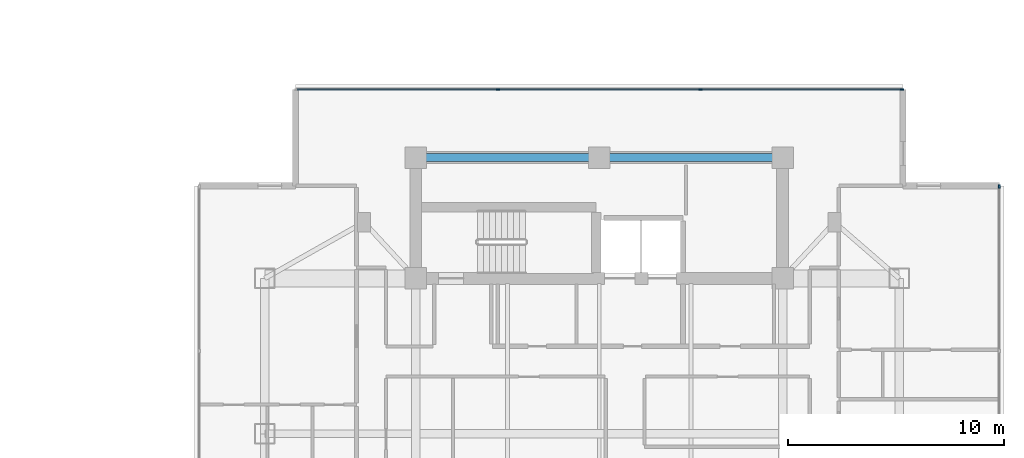
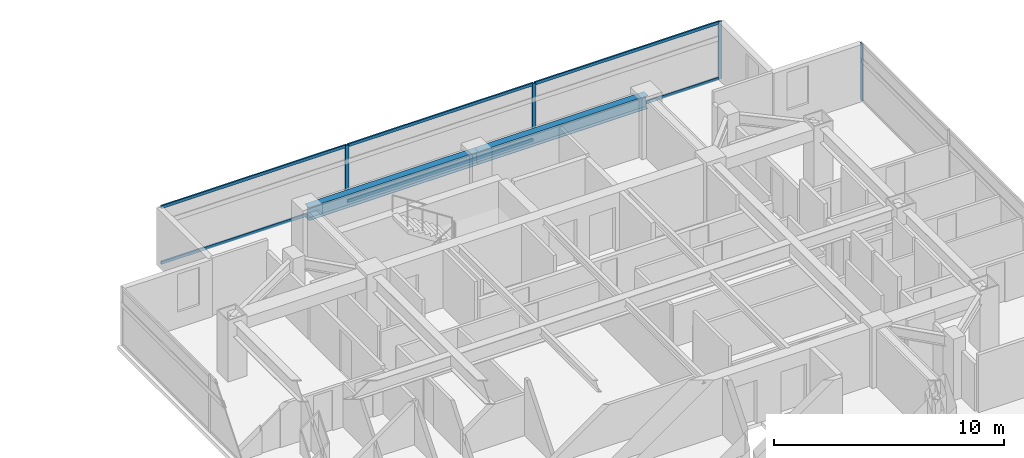
# One storey, part 10 of 25: 10 members, 2 beams, 2 elements without a shape of their own.
"""IFC4 building model written with IfcOpenShell, lengths in metres."""

from ifc_helpers import new_model, si_unit, direction, frame, origin, origin_2d, place, context, subcontext, project, spatial, rectangle, i_section, extrude, material, material_profile, profile_set, type_object, element, aggregate, save


model = new_model("IFC4")

# Units and contexts
model_context = context("Model", 3, precision=1e-05, world=origin(), true_north=direction((0.0, 1.0)))
body_context = subcontext(model_context, "Body", "Model", "MODEL_VIEW")
ifc_project = project(units=[si_unit("LENGTHUNIT", "METRE"), si_unit("AREAUNIT", "SQUARE_METRE"), si_unit("VOLUMEUNIT", "CUBIC_METRE"), si_unit("PLANEANGLEUNIT", "RADIAN"), si_unit("MASSUNIT", "GRAM", prefix="KILO")], contexts=[model_context])

# Site, building, storey
site_placement = place(None, origin())
site = spatial("IfcSite", under=ifc_project, at=site_placement, CompositionType="ELEMENT")
building_placement = place(site_placement, origin())
building = spatial("IfcBuilding", under=site, at=building_placement, Name="Mirazonda Arch Towers", CompositionType="ELEMENT")
storey_placement = place(building_placement, frame((0.0, 0.0, 180.39990234375)))
storey = spatial("IfcBuildingStorey", under=building, at=storey_placement, Name="L51", CompositionType="ELEMENT", Elevation=180.39990234375)

# Beams
ifc_material_1 = material(Name="Steel ASTM A992 Grade 50", Category="steel")
ifc_material_profile_1 = material_profile(ifc_material_1, i_section(OverallWidth=0.35498046875, OverallDepth=0.696044921875, WebThickness=0.015380859375, FlangeThickness=0.02490234375, at=origin_2d()), Name="W27X146")
ifc_profile_set_1 = profile_set([ifc_material_profile_1], Name="Steel ASTM A992 Grade 50")
beam_type = type_object("IfcBeamType", Name="BM-INT-W27X146", PredefinedType="BEAM", material=ifc_profile_set_1)
for number, where, z_axis, x_axis, name in (
    (1, (68.0, 40.800048828125, 2.7021484375), (1.0, 0.0, 0.0), (0.0, 1.0, 0.0), "L51 Floor Beam BM-T2-L51-CN1"),
    (2, (76.5, 40.800048828125, 2.7021484375), (1.0, 0.0, 0.0), (0.0, 1.0, 0.0), "L51 Floor Beam BM-T2-L51-CN2"),
):
    element("IfcBeam", number, at=place(storey_placement, frame(where, z_axis=z_axis, x_axis=x_axis)), inside=storey, type_object=beam_type, Name=name, PredefinedType="BEAM", context=body_context, shape_type="SweptSolid", body=[
        extrude(i_section(OverallWidth=0.35498046875, OverallDepth=0.696044921875, WebThickness=0.015380859375, FlangeThickness=0.02490234375, at=origin_2d()), origin(), (0.0, 0.0, 1.0), 8.5),
    ])

# Curtain wall, member
ifc_material_2 = material(Name="Anodised Aluminium and Low-E Glass", Category="aluminium")
curtain_wall_type = type_object("IfcCurtainWallType", Name="CW-RES-UNIT", PredefinedType="NOTDEFINED", material=ifc_material_2)
curtain_wall_1_placement = place(storey_placement, origin())
curtain_wall_1 = element("IfcCurtainWall", 3, at=curtain_wall_1_placement, inside=storey, type_object=curtain_wall_type, Name="L51 T2 E Facade CW-L51-T2-E", PredefinedType="NOTDEFINED")
ifc_material_3 = material(Name="Anodised Aluminium Alloy", Category="aluminium")
ifc_material_profile_2 = material_profile(ifc_material_3, rectangle(XDim=0.074951171875, YDim=0.175048828125, at=origin_2d()), Name="ALU-MULL-75x175")
ifc_profile_set_2 = profile_set([ifc_material_profile_2], Name="Anodised Aluminium Alloy")
member_type_1 = type_object("IfcMemberType", Name="MULL-CW-RES-UNIT", PredefinedType="MULLION", material=ifc_profile_set_2)
member_1_placement = place(storey_placement, frame((95.03662109375, 39.455078125, 0.0), z_axis=(0.0, 0.0, 1.0), x_axis=(-1.0, 0.0, 0.0)))
member_1 = element("IfcMember", 4, at=member_1_placement, type_object=member_type_1, Name="CW-104 mullion 4", PredefinedType="MULLION", context=body_context, shape_type="SweptSolid", body=[
    extrude(rectangle(XDim=0.074951171875, YDim=0.175048828125, at=origin_2d()), origin(), (0.0, 0.0, 1.0), 3.030029296875),
])
aggregate(curtain_wall_1, [member_1])

# Curtain wall, members
curtain_wall_2_placement = place(storey_placement, origin())
curtain_wall_2 = element("IfcCurtainWall", 5, at=curtain_wall_2_placement, inside=storey, type_object=curtain_wall_type, Name="L51 T2 N Facade CW-L51-T2-N", PredefinedType="NOTDEFINED")
member_2_placement = place(storey_placement, frame((71.8095703125, 43.9580078125, 0.0), z_axis=(0.0, 0.0, 1.0), x_axis=(0.0, 1.0, 0.0)))
member_2 = element("IfcMember", 6, at=member_2_placement, type_object=member_type_1, Name="CW-104 mullion 2", PredefinedType="MULLION", context=body_context, shape_type="SweptSolid", body=[
    extrude(rectangle(XDim=0.074951171875, YDim=0.175048828125, at=origin_2d()), origin(), (0.0, 0.0, 1.0), 3.030029296875),
])
member_3_placement = place(storey_placement, frame((81.1904296875, 43.9580078125, 0.0), z_axis=(0.0, 0.0, 1.0), x_axis=(0.0, 1.0, 0.0)))
member_3 = element("IfcMember", 7, at=member_3_placement, type_object=member_type_1, Name="CW-104 mullion 3", PredefinedType="MULLION", context=body_context, shape_type="SweptSolid", body=[
    extrude(rectangle(XDim=0.074951171875, YDim=0.175048828125, at=origin_2d()), origin(), (0.0, 0.0, 1.0), 3.030029296875),
])
member_4_placement = place(storey_placement, frame((90.53369140625, 43.9580078125, 0.0), z_axis=(0.0, 0.0, 1.0), x_axis=(0.0, 1.0, 0.0)))
member_4 = element("IfcMember", 8, at=member_4_placement, type_object=member_type_1, Name="CW-104 mullion 4", PredefinedType="MULLION", context=body_context, shape_type="SweptSolid", body=[
    extrude(rectangle(XDim=0.074951171875, YDim=0.175048828125, at=origin_2d()), origin(), (0.0, 0.0, 1.0), 3.030029296875),
])
ifc_material_profile_3 = material_profile(ifc_material_3, rectangle(XDim=0.074951171875, YDim=0.155029296875, at=origin_2d()), Name="ALU-TRAN-75x155")
ifc_profile_set_3 = profile_set([ifc_material_profile_3], Name="Anodised Aluminium Alloy")
member_type_2 = type_object("IfcMemberType", Name="TRAN-CW-RES-UNIT", PredefinedType="USERDEFINED", material=ifc_profile_set_3)
member_5_placement = place(storey_placement, frame((62.503662109375, 43.9580078125, 0.03759765625), z_axis=(1.0, 0.0, 0.0), x_axis=(0.0, 1.0, 0.0)))
member_5 = element("IfcMember", 9, at=member_5_placement, type_object=member_type_2, Name="CW-104 transom 1.1", ObjectType="TRANSOM", PredefinedType="USERDEFINED", context=body_context, shape_type="SweptSolid", body=[
    extrude(rectangle(XDim=0.074951171875, YDim=0.155029296875, at=origin_2d()), origin(), (0.0, 0.0, 1.0), 9.268310546875),
])
member_6_placement = place(storey_placement, frame((62.503662109375, 43.9580078125, 2.99267578125), z_axis=(1.0, 0.0, 0.0), x_axis=(0.0, 1.0, 0.0)))
member_6 = element("IfcMember", 10, at=member_6_placement, type_object=member_type_2, Name="CW-104 transom 1.2", ObjectType="TRANSOM", PredefinedType="USERDEFINED", context=body_context, shape_type="SweptSolid", body=[
    extrude(rectangle(XDim=0.074951171875, YDim=0.155029296875, at=origin_2d()), origin(), (0.0, 0.0, 1.0), 9.268310546875),
])
member_7_placement = place(storey_placement, frame((71.84716796875, 43.9580078125, 0.03759765625), z_axis=(1.0, 0.0, 0.0), x_axis=(0.0, 1.0, 0.0)))
member_7 = element("IfcMember", 11, at=member_7_placement, type_object=member_type_2, Name="CW-104 transom 2.1", ObjectType="TRANSOM", PredefinedType="USERDEFINED", context=body_context, shape_type="SweptSolid", body=[
    extrude(rectangle(XDim=0.074951171875, YDim=0.155029296875, at=origin_2d()), origin(), (0.0, 0.0, 1.0), 9.3056640625),
])
member_8_placement = place(storey_placement, frame((71.84716796875, 43.9580078125, 2.99267578125), z_axis=(1.0, 0.0, 0.0), x_axis=(0.0, 1.0, 0.0)))
member_8 = element("IfcMember", 12, at=member_8_placement, type_object=member_type_2, Name="CW-104 transom 2.2", ObjectType="TRANSOM", PredefinedType="USERDEFINED", context=body_context, shape_type="SweptSolid", body=[
    extrude(rectangle(XDim=0.074951171875, YDim=0.155029296875, at=origin_2d()), origin(), (0.0, 0.0, 1.0), 9.3056640625),
])
member_9_placement = place(storey_placement, frame((81.22802734375, 43.9580078125, 0.03759765625), z_axis=(1.0, 0.0, 0.0), x_axis=(0.0, 1.0, 0.0)))
member_9 = element("IfcMember", 13, at=member_9_placement, type_object=member_type_2, Name="CW-104 transom 3.1", ObjectType="TRANSOM", PredefinedType="USERDEFINED", context=body_context, shape_type="SweptSolid", body=[
    extrude(rectangle(XDim=0.074951171875, YDim=0.155029296875, at=origin_2d()), origin(), (0.0, 0.0, 1.0), 9.268310546875),
])
member_10_placement = place(storey_placement, frame((81.22802734375, 43.9580078125, 2.99267578125), z_axis=(1.0, 0.0, 0.0), x_axis=(0.0, 1.0, 0.0)))
member_10 = element("IfcMember", 14, at=member_10_placement, type_object=member_type_2, Name="CW-104 transom 3.2", ObjectType="TRANSOM", PredefinedType="USERDEFINED", context=body_context, shape_type="SweptSolid", body=[
    extrude(rectangle(XDim=0.074951171875, YDim=0.155029296875, at=origin_2d()), origin(), (0.0, 0.0, 1.0), 9.268310546875),
])
aggregate(curtain_wall_2, [member_2, member_3, member_4, member_5, member_6, member_7, member_8, member_9, member_10])

save(model, "model.ifc")
